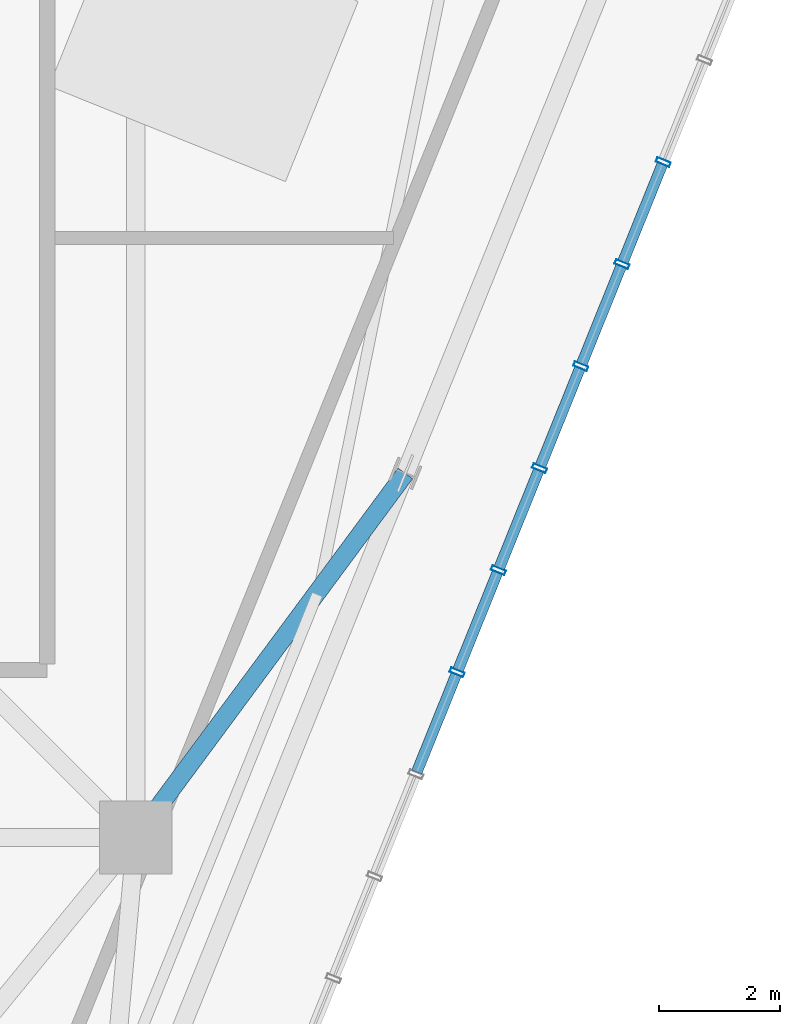
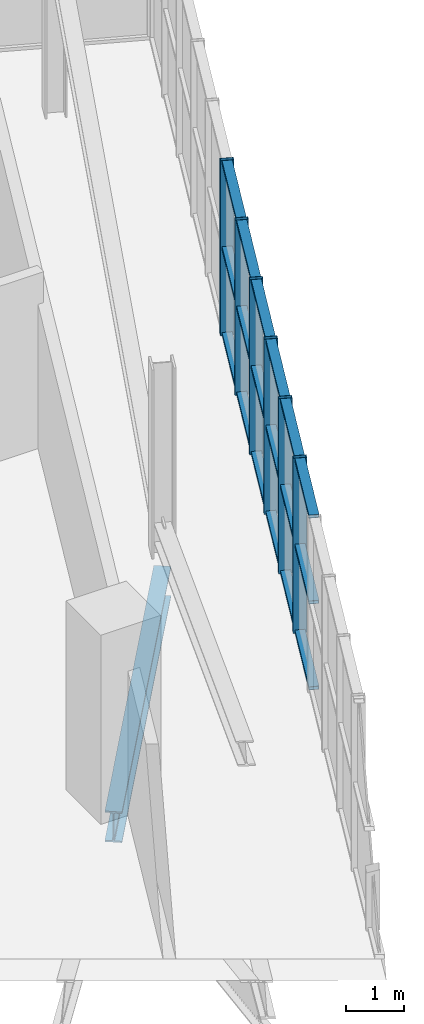
# One storey, part 9 of 26: 24 members, 1 beam, 1 element without a shape of its own.
"""IFC4 building model written with IfcOpenShell, lengths in metres."""

from ifc_helpers import new_model, si_unit, direction, frame, origin, origin_2d, place, context, subcontext, project, spatial, hollow_rectangle, i_section, extrude, source, transform, mapped, material, layer, layer_set, material_profile, profile_set, type_object, element, aggregate, save


model = new_model("IFC4")

# Units and contexts
model_context = context("Model", 3, precision=1e-05, world=origin(), true_north=direction((0.0, 1.0)))
body_context = subcontext(model_context, "Body", "Model", "MODEL_VIEW")
ifc_project = project(units=[si_unit("LENGTHUNIT", "METRE"), si_unit("AREAUNIT", "SQUARE_METRE"), si_unit("VOLUMEUNIT", "CUBIC_METRE"), si_unit("PLANEANGLEUNIT", "RADIAN"), si_unit("MASSUNIT", "GRAM", prefix="KILO"), si_unit("THERMODYNAMICTEMPERATUREUNIT", "KELVIN")], contexts=[model_context])

# Site, building, storey
site_placement = place(None, origin())
site = spatial("IfcSite", under=ifc_project, at=site_placement, CompositionType="ELEMENT")
building_placement = place(site_placement, origin())
building = spatial("IfcBuilding", under=site, at=building_placement, Name="Kosmvard Interchange Tower", CompositionType="ELEMENT")
storey_placement = place(building_placement, frame((0.0, 0.0, 333.60009765625)))
storey = spatial("IfcBuildingStorey", under=building, at=storey_placement, Name="L82", CompositionType="ELEMENT", Elevation=333.60009765625)

# Beam
ifc_material_1 = material(Name="Steel S355", Category="steel")
ifc_material_profile_1 = material_profile(ifc_material_1, i_section(OverallWidth=0.300048828125, OverallDepth=0.64990234375, WebThickness=0.01611328125, FlangeThickness=0.031005859375, FilletRadius=0.027099609375, at=origin_2d()), Name="HEB 650")
ifc_profile_set_1 = profile_set([ifc_material_profile_1], Name="Steel S355")
beam_type = type_object("IfcBeamType", Name="Primary Floor Girder HEB 650 S355", PredefinedType="BEAM", material=ifc_profile_set_1)
shared_shape_1 = source(origin(), body_context, "Body", "SweptSolid", [
    extrude(i_section(OverallWidth=0.300048828125, OverallDepth=0.64990234375, WebThickness=0.01611328125, FlangeThickness=0.031005859375, FilletRadius=0.027099609375, at=origin_2d()), origin(), (0.0, 0.0, 1.0), 7.466552734375),
])
beam_placement = place(storey_placement, frame((13.0810546875, -13.0810546875, -0.625), z_axis=(0.595007793491, 0.803719929879, 0.0), x_axis=(-0.803719929879, 0.595007793491, 0.0)))
element("IfcBeam", 1, at=beam_placement, inside=storey, type_object=beam_type, Name="BM-L82-RD02", PredefinedType="BEAM", context=body_context, shape_type="MappedRepresentation", body=[
    mapped(shared_shape_1, transform((0.0, 0.0, 0.0), scale=1.0)),
])

# Curtain wall, members
ifc_material_2 = material(Name="Architectural anodised aluminium", Category="aluminium")
ifc_layer = layer(ifc_material_2, 0.25, Name="Architectural anodised aluminium")
ifc_layer_set = layer_set([ifc_layer], Name="Architectural anodised aluminium")
curtain_wall_type = type_object("IfcCurtainWallType", Name="CW-6 Illuminated Crown Lantern Curtain Wall", PredefinedType="NOTDEFINED", material=ifc_layer_set)
curtain_wall_placement = place(storey_placement, origin())
curtain_wall = element("IfcCurtainWall", 2, at=curtain_wall_placement, inside=storey, type_object=curtain_wall_type, Name="L82 Crown Lantern Glazing Face 01", PredefinedType="NOTDEFINED")
ifc_material_profile_2 = material_profile(ifc_material_2, hollow_rectangle(XDim=0.239990234375, YDim=0.080078125, WallThickness=0.006103515625, at=origin_2d()), Name="CWM 240x80x6")
ifc_profile_set_2 = profile_set([ifc_material_profile_2], Name="Architectural anodised aluminium")
member_type_1 = type_object("IfcMemberType", Name="Lantern & Observation CW Mullion 240x80 Aluminium", PredefinedType="MULLION", material=ifc_profile_set_2)
shared_shape_2 = source(origin(), body_context, "Body", "SweptSolid", [
    extrude(hollow_rectangle(XDim=0.239990234375, YDim=0.080078125, WallThickness=0.006103515625, at=origin_2d()), origin(), (0.0, 0.0, 1.0), 3.699951171875),
])
member_1_placement = place(storey_placement, frame((18.377197265625, -10.35986328125, 0.0), z_axis=(0.0, 0.0, 1.0), x_axis=(-0.927183858065, 0.374606584758, 0.0)))
member_1 = element("IfcMember", 3, at=member_1_placement, type_object=member_type_1, Name="CW-6 mullion 8", PredefinedType="MULLION", context=body_context, shape_type="MappedRepresentation", body=[
    mapped(shared_shape_2, transform((0.0, 0.0, 0.0), scale=1.0)),
])
member_2_placement = place(storey_placement, frame((19.056884765625, -8.677734375, 0.0), z_axis=(0.0, 0.0, 1.0), x_axis=(-0.927183858065, 0.374606584758, 0.0)))
member_2 = element("IfcMember", 4, at=member_2_placement, type_object=member_type_1, Name="CW-6 mullion 9", PredefinedType="MULLION", context=body_context, shape_type="MappedRepresentation", body=[
    mapped(shared_shape_2, transform((0.0, 0.0, 0.0), scale=1.0)),
])
member_3_placement = place(storey_placement, frame((19.736572265625, -6.995849609375, 0.0), z_axis=(0.0, 0.0, 1.0), x_axis=(-0.927183858065, 0.374606584758, 0.0)))
member_3 = element("IfcMember", 5, at=member_3_placement, type_object=member_type_1, Name="CW-6 mullion 10", PredefinedType="MULLION", context=body_context, shape_type="MappedRepresentation", body=[
    mapped(shared_shape_2, transform((0.0, 0.0, 0.0), scale=1.0)),
])
member_4_placement = place(storey_placement, frame((20.416015625, -5.313720703125, 0.0), z_axis=(0.0, 0.0, 1.0), x_axis=(-0.927183858065, 0.374606584758, 0.0)))
member_4 = element("IfcMember", 6, at=member_4_placement, type_object=member_type_1, Name="CW-6 mullion 11", PredefinedType="MULLION", context=body_context, shape_type="MappedRepresentation", body=[
    mapped(shared_shape_2, transform((0.0, 0.0, 0.0), scale=1.0)),
])
member_5_placement = place(storey_placement, frame((21.095703125, -3.6318359375, 0.0), z_axis=(0.0, 0.0, 1.0), x_axis=(-0.927183858065, 0.374606584758, 0.0)))
member_5 = element("IfcMember", 7, at=member_5_placement, type_object=member_type_1, Name="CW-6 mullion 12", PredefinedType="MULLION", context=body_context, shape_type="MappedRepresentation", body=[
    mapped(shared_shape_2, transform((0.0, 0.0, 0.0), scale=1.0)),
])
member_6_placement = place(storey_placement, frame((21.775146484375, -1.94970703125, 0.0), z_axis=(0.0, 0.0, 1.0), x_axis=(-0.927183858065, 0.374606584758, 0.0)))
member_6 = element("IfcMember", 8, at=member_6_placement, type_object=member_type_1, Name="CW-6 mullion 13", PredefinedType="MULLION", context=body_context, shape_type="MappedRepresentation", body=[
    mapped(shared_shape_2, transform((0.0, 0.0, 0.0), scale=1.0)),
])
ifc_material_profile_3 = material_profile(ifc_material_2, hollow_rectangle(XDim=0.179931640625, YDim=0.070068359375, WallThickness=0.0048828125, at=origin_2d()), Name="CWT 180x70x5")
ifc_profile_set_3 = profile_set([ifc_material_profile_3], Name="Architectural anodised aluminium")
member_type_2 = type_object("IfcMemberType", Name="Heavy Lantern CW Transom 180x70 Aluminium", PredefinedType="USERDEFINED", material=ifc_profile_set_3)
shared_shape_3 = source(origin(), body_context, "Body", "SweptSolid", [
    extrude(hollow_rectangle(XDim=0.179931640625, YDim=0.070068359375, WallThickness=0.0048828125, at=origin_2d()), origin(), (0.0, 0.0, 1.0), 1.734130859375),
])
member_7_placement = place(storey_placement, frame((18.392333984375, -10.32275390625, 0.034912109375), z_axis=(0.374616671924, 0.927179782522, 0.0), x_axis=(-0.927179782522, 0.374616671924, 0.0)))
member_7 = element("IfcMember", 9, at=member_7_placement, type_object=member_type_2, Name="CW-6 transom 8.1", ObjectType="TRANSOM", PredefinedType="USERDEFINED", context=body_context, shape_type="MappedRepresentation", body=[
    mapped(shared_shape_3, transform((0.0, 0.0, 0.0), scale=1.0)),
])
member_8_placement = place(storey_placement, frame((18.392333984375, -10.32275390625, 1.849853515625), z_axis=(0.374616671924, 0.927179782522, 0.0), x_axis=(-0.927179782522, 0.374616671924, 0.0)))
member_8 = element("IfcMember", 10, at=member_8_placement, type_object=member_type_2, Name="CW-6 transom 8.2", ObjectType="TRANSOM", PredefinedType="USERDEFINED", context=body_context, shape_type="MappedRepresentation", body=[
    mapped(shared_shape_3, transform((0.0, 0.0, 0.0), scale=1.0)),
])
member_9_placement = place(storey_placement, frame((18.392333984375, -10.32275390625, 3.664794921875), z_axis=(0.374616671924, 0.927179782522, 0.0), x_axis=(-0.927179782522, 0.374616671924, 0.0)))
member_9 = element("IfcMember", 11, at=member_9_placement, type_object=member_type_2, Name="CW-6 transom 8.3", ObjectType="TRANSOM", PredefinedType="USERDEFINED", context=body_context, shape_type="MappedRepresentation", body=[
    mapped(shared_shape_3, transform((0.0, 0.0, 0.0), scale=1.0)),
])
member_10_placement = place(storey_placement, frame((19.75146484375, -6.958740234375, 0.034912109375), z_axis=(0.374616671924, 0.927179782522, 0.0), x_axis=(-0.927179782522, 0.374616671924, 0.0)))
member_10 = element("IfcMember", 12, at=member_10_placement, type_object=member_type_2, Name="CW-6 transom 10.1", ObjectType="TRANSOM", PredefinedType="USERDEFINED", context=body_context, shape_type="MappedRepresentation", body=[
    mapped(shared_shape_3, transform((0.0, 0.0, 0.0), scale=1.0)),
])
member_11_placement = place(storey_placement, frame((19.75146484375, -6.958740234375, 1.849853515625), z_axis=(0.374616671924, 0.927179782522, 0.0), x_axis=(-0.927179782522, 0.374616671924, 0.0)))
member_11 = element("IfcMember", 13, at=member_11_placement, type_object=member_type_2, Name="CW-6 transom 10.2", ObjectType="TRANSOM", PredefinedType="USERDEFINED", context=body_context, shape_type="MappedRepresentation", body=[
    mapped(shared_shape_3, transform((0.0, 0.0, 0.0), scale=1.0)),
])
member_12_placement = place(storey_placement, frame((19.75146484375, -6.958740234375, 3.664794921875), z_axis=(0.374616671924, 0.927179782522, 0.0), x_axis=(-0.927179782522, 0.374616671924, 0.0)))
member_12 = element("IfcMember", 14, at=member_12_placement, type_object=member_type_2, Name="CW-6 transom 10.3", ObjectType="TRANSOM", PredefinedType="USERDEFINED", context=body_context, shape_type="MappedRepresentation", body=[
    mapped(shared_shape_3, transform((0.0, 0.0, 0.0), scale=1.0)),
])
member_13_placement = place(storey_placement, frame((20.43115234375, -5.276611328125, 0.034912109375), z_axis=(0.374495638732, 0.927228675447, 0.0), x_axis=(-0.927228675447, 0.374495638732, 0.0)))
member_13 = element("IfcMember", 15, at=member_13_placement, type_object=member_type_2, Name="CW-6 transom 11.1", ObjectType="TRANSOM", PredefinedType="USERDEFINED", context=body_context, shape_type="MappedRepresentation", body=[
    mapped(shared_shape_3, transform((0.0, 0.0, 0.0), scale=1.0)),
])
member_14_placement = place(storey_placement, frame((20.43115234375, -5.276611328125, 1.849853515625), z_axis=(0.374495638732, 0.927228675447, 0.0), x_axis=(-0.927228675447, 0.374495638732, 0.0)))
member_14 = element("IfcMember", 16, at=member_14_placement, type_object=member_type_2, Name="CW-6 transom 11.2", ObjectType="TRANSOM", PredefinedType="USERDEFINED", context=body_context, shape_type="MappedRepresentation", body=[
    mapped(shared_shape_3, transform((0.0, 0.0, 0.0), scale=1.0)),
])
member_15_placement = place(storey_placement, frame((20.43115234375, -5.276611328125, 3.664794921875), z_axis=(0.374495638732, 0.927228675447, 0.0), x_axis=(-0.927228675447, 0.374495638732, 0.0)))
member_15 = element("IfcMember", 17, at=member_15_placement, type_object=member_type_2, Name="CW-6 transom 11.3", ObjectType="TRANSOM", PredefinedType="USERDEFINED", context=body_context, shape_type="MappedRepresentation", body=[
    mapped(shared_shape_3, transform((0.0, 0.0, 0.0), scale=1.0)),
])
member_16_placement = place(storey_placement, frame((21.110595703125, -3.5947265625, 0.034912109375), z_axis=(0.374616671924, 0.927179782522, 0.0), x_axis=(-0.927179782522, 0.374616671924, 0.0)))
member_16 = element("IfcMember", 18, at=member_16_placement, type_object=member_type_2, Name="CW-6 transom 12.1", ObjectType="TRANSOM", PredefinedType="USERDEFINED", context=body_context, shape_type="MappedRepresentation", body=[
    mapped(shared_shape_3, transform((0.0, 0.0, 0.0), scale=1.0)),
])
member_17_placement = place(storey_placement, frame((21.110595703125, -3.5947265625, 1.849853515625), z_axis=(0.374616671924, 0.927179782522, 0.0), x_axis=(-0.927179782522, 0.374616671924, 0.0)))
member_17 = element("IfcMember", 19, at=member_17_placement, type_object=member_type_2, Name="CW-6 transom 12.2", ObjectType="TRANSOM", PredefinedType="USERDEFINED", context=body_context, shape_type="MappedRepresentation", body=[
    mapped(shared_shape_3, transform((0.0, 0.0, 0.0), scale=1.0)),
])
member_18_placement = place(storey_placement, frame((21.110595703125, -3.5947265625, 3.664794921875), z_axis=(0.374616671924, 0.927179782522, 0.0), x_axis=(-0.927179782522, 0.374616671924, 0.0)))
member_18 = element("IfcMember", 20, at=member_18_placement, type_object=member_type_2, Name="CW-6 transom 12.3", ObjectType="TRANSOM", PredefinedType="USERDEFINED", context=body_context, shape_type="MappedRepresentation", body=[
    mapped(shared_shape_3, transform((0.0, 0.0, 0.0), scale=1.0)),
])
shared_shape_4 = source(origin(), body_context, "Body", "SweptSolid", [
    extrude(hollow_rectangle(XDim=0.179931640625, YDim=0.070068359375, WallThickness=0.0048828125, at=origin_2d()), origin(), (0.0, 0.0, 1.0), 1.73388671875),
])
member_19_placement = place(storey_placement, frame((17.712646484375, -12.004638671875, 0.034912109375), z_axis=(0.374665576032, 0.927160021861, 0.0), x_axis=(-0.927160021861, 0.374665576032, 0.0)))
member_19 = element("IfcMember", 21, at=member_19_placement, type_object=member_type_2, Name="CW-6 transom 7.1", ObjectType="TRANSOM", PredefinedType="USERDEFINED", context=body_context, shape_type="MappedRepresentation", body=[
    mapped(shared_shape_4, transform((0.0, 0.0, 0.0), scale=1.0)),
])
member_20_placement = place(storey_placement, frame((17.712646484375, -12.004638671875, 1.849853515625), z_axis=(0.374665576032, 0.927160021861, 0.0), x_axis=(-0.927160021861, 0.374665576032, 0.0)))
member_20 = element("IfcMember", 22, at=member_20_placement, type_object=member_type_2, Name="CW-6 transom 7.2", ObjectType="TRANSOM", PredefinedType="USERDEFINED", context=body_context, shape_type="MappedRepresentation", body=[
    mapped(shared_shape_4, transform((0.0, 0.0, 0.0), scale=1.0)),
])
member_21_placement = place(storey_placement, frame((17.712646484375, -12.004638671875, 3.664794921875), z_axis=(0.374665576032, 0.927160021861, 0.0), x_axis=(-0.927160021861, 0.374665576032, 0.0)))
member_21 = element("IfcMember", 23, at=member_21_placement, type_object=member_type_2, Name="CW-6 transom 7.3", ObjectType="TRANSOM", PredefinedType="USERDEFINED", context=body_context, shape_type="MappedRepresentation", body=[
    mapped(shared_shape_4, transform((0.0, 0.0, 0.0), scale=1.0)),
])
member_22_placement = place(storey_placement, frame((19.07177734375, -8.640625, 0.034912109375), z_axis=(0.374665576032, 0.927160021861, 0.0), x_axis=(-0.927160021861, 0.374665576032, 0.0)))
member_22 = element("IfcMember", 24, at=member_22_placement, type_object=member_type_2, Name="CW-6 transom 9.1", ObjectType="TRANSOM", PredefinedType="USERDEFINED", context=body_context, shape_type="MappedRepresentation", body=[
    mapped(shared_shape_4, transform((0.0, 0.0, 0.0), scale=1.0)),
])
member_23_placement = place(storey_placement, frame((19.07177734375, -8.640625, 1.849853515625), z_axis=(0.374665576032, 0.927160021861, 0.0), x_axis=(-0.927160021861, 0.374665576032, 0.0)))
member_23 = element("IfcMember", 25, at=member_23_placement, type_object=member_type_2, Name="CW-6 transom 9.2", ObjectType="TRANSOM", PredefinedType="USERDEFINED", context=body_context, shape_type="MappedRepresentation", body=[
    mapped(shared_shape_4, transform((0.0, 0.0, 0.0), scale=1.0)),
])
member_24_placement = place(storey_placement, frame((19.07177734375, -8.640625, 3.664794921875), z_axis=(0.374665576032, 0.927160021861, 0.0), x_axis=(-0.927160021861, 0.374665576032, 0.0)))
member_24 = element("IfcMember", 26, at=member_24_placement, type_object=member_type_2, Name="CW-6 transom 9.3", ObjectType="TRANSOM", PredefinedType="USERDEFINED", context=body_context, shape_type="MappedRepresentation", body=[
    mapped(shared_shape_4, transform((0.0, 0.0, 0.0), scale=1.0)),
])
aggregate(curtain_wall, [member_1, member_2, member_3, member_4, member_5, member_6, member_19, member_20, member_21, member_7, member_8, member_9, member_22, member_23, member_24, member_10, member_11, member_12, member_13, member_14, member_15, member_16, member_17, member_18])

save(model, "model.ifc")
